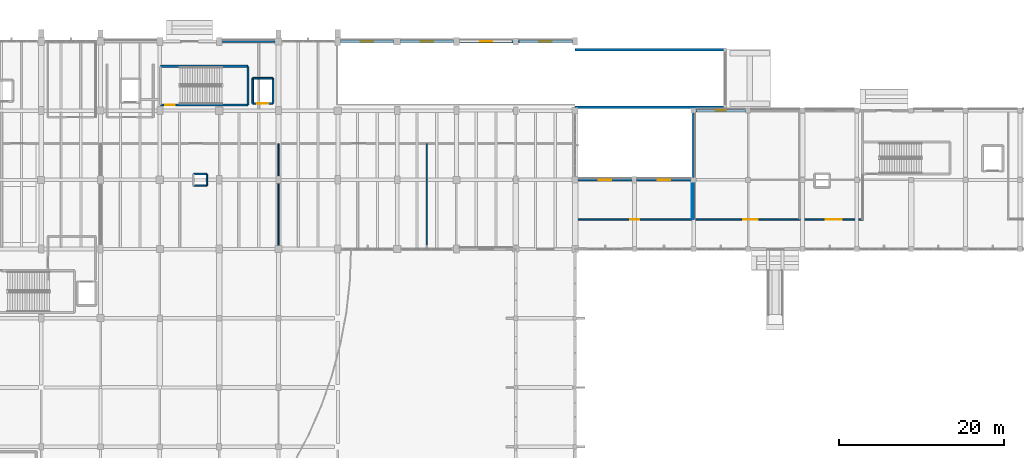
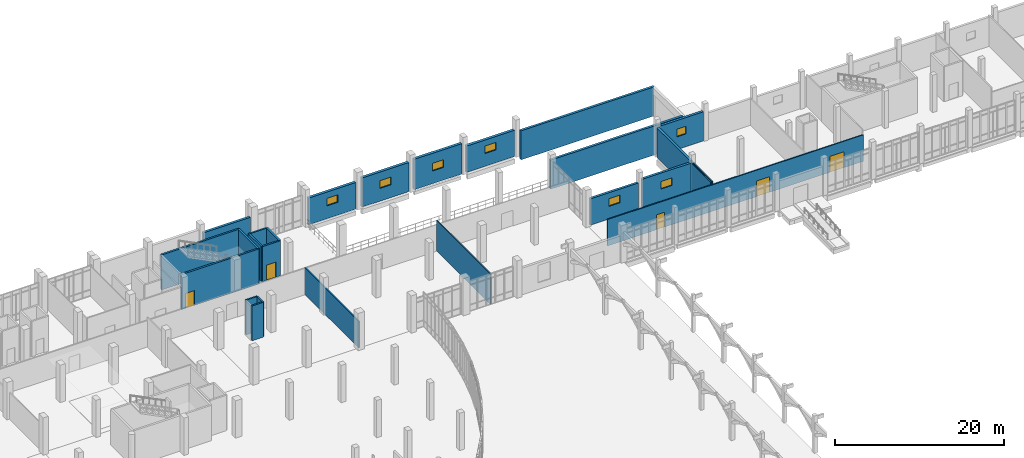
# One storey, part 95 of 110: 26 walls, 7 windows, 5 doors, 12 openings.
"""IFC4 building model written with IfcOpenShell, lengths in metres."""

from ifc_helpers import new_model, si_unit, direction, frame, frame_2d, origin, place, context, subcontext, project, spatial, rectangle, extrude, material, layer, layer_set, type_object, element, fill, save


model = new_model("IFC4")

# Units and contexts
model_context = context("Model", 3, precision=1e-05, world=origin(), true_north=direction((0.0, 1.0)))
body_context = subcontext(model_context, "Body", "Model", "MODEL_VIEW")
ifc_project = project(units=[si_unit("LENGTHUNIT", "METRE"), si_unit("AREAUNIT", "SQUARE_METRE"), si_unit("VOLUMEUNIT", "CUBIC_METRE"), si_unit("PLANEANGLEUNIT", "RADIAN"), si_unit("MASSUNIT", "GRAM", prefix="KILO")], contexts=[model_context])

# Site, building, storey
site_placement = place(None, origin())
site = spatial("IfcSite", under=ifc_project, at=site_placement, CompositionType="ELEMENT")
building_placement = place(site_placement, origin())
building = spatial("IfcBuilding", under=site, at=building_placement, Name="Kalluvel Institute of Natural Sciences", CompositionType="ELEMENT")
storey_placement = place(building_placement, origin())
storey = spatial("IfcBuildingStorey", under=building, at=storey_placement, Name="L00", CompositionType="ELEMENT", Elevation=0.0)

# Wall, opening, door
ifc_material_1 = material(Name="Concrete M40", Category="concrete")
ifc_layer_1 = layer(ifc_material_1, 0.25)
ifc_layer_set_1 = layer_set([ifc_layer_1], Name="Concrete M40")
wall_type_1 = type_object("IfcWallType", Name="WL-CORE-250", PredefinedType="SHEAR", material=ifc_layer_set_1)
wall_1_placement = place(storey_placement, frame((64.485107421875, 120.284912109375, 0.0), z_axis=(0.0, 0.0, 1.0), x_axis=(1.0, 0.0, 0.0)))
wall_1 = element("IfcWall", 1, at=wall_1_placement, inside=storey, type_object=wall_type_1, Name="ST2 L00 core wall S", PredefinedType="SHEAR", context=body_context, shape_type="SweptSolid", body=[
    extrude(rectangle(XDim=10.6298828125, YDim=0.25, at=frame_2d((5.31494140625, 0.0))), origin(), (0.0, 0.0, 1.0), 5.074951171875),
])
opening_1_placement = place(wall_1_placement, frame((0.550048828125, 0.0, 0.0)))
opening_1 = element("IfcOpeningElement", 2, at=opening_1_placement, cuts=wall_1, Name="Opening DS-013", PredefinedType="OPENING", context=body_context, shape_type="SweptSolid", body=[
    extrude(rectangle(XDim=1.199951171875, YDim=2.14990234375, at=frame_2d((0.60009765625, 1.074951171875))), frame((0.0, 0.135009765625, 0.0), z_axis=(0.0, -1.0, 0.0), x_axis=(1.0, 0.0, 0.0)), (0.0, 0.0, 1.0), 0.27001953125),
])
ifc_material_2 = material(Name="Galvanized Fire-Rated Steel", Category="steel")
door_type_1 = type_object("IfcDoorType", Name="DR-ST-1200", OperationType="NOTDEFINED", PredefinedType="DOOR", material=ifc_material_2)
door_1_placement = place(opening_1_placement, origin())
door_1 = element("IfcDoor", 3, at=door_1_placement, inside=storey, type_object=door_type_1, Name="ST2 L00 protected stair door DS-013", OperationType="SINGLE_SWING_RIGHT", OverallHeight=2.14990234375, OverallWidth=1.199951171875, PredefinedType="DOOR", context=body_context, shape_type="SweptSolid", body=[
    extrude(rectangle(XDim=1.199951171875, YDim=2.14990234375, at=frame_2d((0.60009765625, 1.074951171875))), frame((0.0, 0.02490234375, 0.0), z_axis=(0.0, -1.0, 0.0), x_axis=(1.0, 0.0, 0.0)), (0.0, 0.0, 1.0), 0.050048828125),
])
fill(opening_1, door_1)

# Walls
wall_2_placement = place(storey_placement, frame((75.114990234375, 120.284912109375, 0.0), z_axis=(0.0, 0.0, 1.0), x_axis=(0.0, 1.0, 0.0)))
element("IfcWall", 4, at=wall_2_placement, inside=storey, type_object=wall_type_1, Name="ST2 L00 core wall E", PredefinedType="SHEAR", context=body_context, shape_type="SweptSolid", body=[
    extrude(rectangle(XDim=4.7001953125, YDim=0.25, at=frame_2d((2.35009765625, 0.0))), origin(), (0.0, 0.0, 1.0), 5.074951171875),
])
wall_3_placement = place(storey_placement, frame((75.114990234375, 124.985107421875, 0.0), z_axis=(0.0, 0.0, 1.0), x_axis=(-1.0, 0.0, 0.0)))
element("IfcWall", 5, at=wall_3_placement, inside=storey, type_object=wall_type_1, Name="ST2 L00 core wall N", PredefinedType="SHEAR", context=body_context, shape_type="SweptSolid", body=[
    extrude(rectangle(XDim=10.6298828125, YDim=0.25, at=frame_2d((5.31494140625, 0.0))), origin(), (0.0, 0.0, 1.0), 5.074951171875),
])
ifc_material_3 = material(Name="Sadarahalli Grey Granite Ashlar Concrete M40", Category="masonry")
ifc_layer_2 = layer(ifc_material_3, 0.320068359375)
ifc_layer_set_2 = layer_set([ifc_layer_2], Name="Sadarahalli Grey Granite Ashlar Concrete M40")
wall_type_2 = type_object("IfcWallType", Name="WL-EXT-320", PredefinedType="SOLIDWALL", material=ifc_layer_set_2)
wall_4_placement = place(storey_placement, frame((71.905029296875, 128.0, 0.0), z_axis=(0.0, 0.0, 1.0), x_axis=(1.0, 0.0, 0.0)))
element("IfcWall", 6, at=wall_4_placement, inside=storey, type_object=wall_type_2, Name="L00 Sadarahalli granite exterior wall WL-EXT-L00-0007", PredefinedType="SOLIDWALL", context=body_context, shape_type="SweptSolid", body=[
    extrude(rectangle(XDim=6.489990234375, YDim=0.320068359375, at=frame_2d((3.2451171875, 0.0))), origin(), (0.0, 0.0, 1.0), 3.85498046875),
])
for number, where, z_axis, x_axis, name in (
    (7, (114.800048828125, 127.0, 0.0), (0.0, 0.0, 1.0), (1.0, 0.0, 0.0), "Vehicle ramp north enclosure wall"),
    (8, (114.800048828125, 120.0, 0.0), (0.0, 0.0, 1.0), (1.0, 0.0, 0.0), "Vehicle ramp south enclosure wall"),
):
    element("IfcWall", number, at=place(storey_placement, frame(where, z_axis=z_axis, x_axis=x_axis)), inside=storey, type_object=wall_type_2, Name=name, PredefinedType="SOLIDWALL", context=body_context, shape_type="SweptSolid", body=[
        extrude(rectangle(XDim=18.199951171875, YDim=0.320068359375, at=frame_2d((9.10009765625, 0.0))), origin(), (0.0, 0.0, 1.0), 4.199951171875),
    ])

# Wall, opening, window
wall_5_placement = place(storey_placement, frame((115.155029296875, 111.199951171875, 0.0), z_axis=(0.0, 0.0, 1.0), x_axis=(1.0, 0.0, 0.0)))
wall_5 = element("IfcWall", 9, at=wall_5_placement, inside=storey, type_object=wall_type_2, Name="L00 Sadarahalli granite exterior wall WL-EXT-L00-0237", PredefinedType="SOLIDWALL", context=body_context, shape_type="SweptSolid", body=[
    extrude(rectangle(XDim=6.590087890625, YDim=0.320068359375, at=frame_2d((3.294921875, 0.0))), origin(), (0.0, 0.0, 1.0), 3.81494140625),
])
opening_2_placement = place(wall_5_placement, frame((2.544921875, 0.0, 1.85009765625)))
opening_2 = element("IfcOpeningElement", 10, at=opening_2_placement, cuts=wall_5, Name="Opening W-12", PredefinedType="OPENING", context=body_context, shape_type="SweptSolid", body=[
    extrude(rectangle(XDim=1.5, YDim=1.10009765625, at=frame_2d((0.75, 0.550048828125))), frame((0.0, 0.169921875, 0.0), z_axis=(0.0, -1.0, 0.0), x_axis=(1.0, 0.0, 0.0)), (0.0, 0.0, 1.0), 0.340087890625),
])
ifc_material_4 = material(Name="Solar-Control Low-E Laminated Glass", Category="glass")
window_type_1 = type_object("IfcWindowType", Name="WN-HIGH-150x110", PartitioningType="SINGLE_PANEL", PredefinedType="WINDOW", material=ifc_material_4)
window_1_placement = place(opening_2_placement, origin())
window_1 = element("IfcWindow", 11, at=window_1_placement, inside=storey, type_object=window_type_1, Name="L00 Gothic lancet window 44", OverallHeight=1.10009765625, OverallWidth=1.5, PartitioningType="SINGLE_PANEL", PredefinedType="WINDOW", context=body_context, shape_type="SweptSolid", body=[
    extrude(rectangle(XDim=1.5, YDim=1.10009765625, at=frame_2d((0.75, 0.550048828125))), frame((0.0, 0.030029296875, 0.0), z_axis=(0.0, -1.0, 0.0), x_axis=(1.0, 0.0, 0.0)), (0.0, 0.0, 1.0), 0.06005859375),
])
fill(opening_2, window_1)

wall_6_placement = place(storey_placement, frame((122.2548828125, 111.199951171875, 0.0), z_axis=(0.0, 0.0, 1.0), x_axis=(1.0, 0.0, 0.0)))
wall_6 = element("IfcWall", 12, at=wall_6_placement, inside=storey, type_object=wall_type_2, Name="L00 Sadarahalli granite exterior wall WL-EXT-L00-0238", PredefinedType="SOLIDWALL", context=body_context, shape_type="SweptSolid", body=[
    extrude(rectangle(XDim=6.6650390625, YDim=0.320068359375, at=frame_2d((3.33251953125, 0.0))), origin(), (0.0, 0.0, 1.0), 4.1650390625),
])
opening_3_placement = place(wall_6_placement, frame((2.58251953125, 0.0, 1.85009765625)))
opening_3 = element("IfcOpeningElement", 13, at=opening_3_placement, cuts=wall_6, Name="Opening W-12", PredefinedType="OPENING", context=body_context, shape_type="SweptSolid", body=[
    extrude(rectangle(XDim=1.5, YDim=1.10009765625, at=frame_2d((0.75, 0.550048828125))), frame((0.0, 0.169921875, 0.0), z_axis=(0.0, -1.0, 0.0), x_axis=(1.0, 0.0, 0.0)), (0.0, 0.0, 1.0), 0.340087890625),
])
window_2_placement = place(opening_3_placement, origin())
window_2 = element("IfcWindow", 14, at=window_2_placement, inside=storey, type_object=window_type_1, Name="L00 Gothic lancet window 45", OverallHeight=1.10009765625, OverallWidth=1.5, PartitioningType="SINGLE_PANEL", PredefinedType="WINDOW", context=body_context, shape_type="SweptSolid", body=[
    extrude(rectangle(XDim=1.5, YDim=1.10009765625, at=frame_2d((0.75, 0.550048828125))), frame((0.0, 0.030029296875, 0.0), z_axis=(0.0, -1.0, 0.0), x_axis=(1.0, 0.0, 0.0)), (0.0, 0.0, 1.0), 0.06005859375),
])
fill(opening_3, window_2)

wall_7_placement = place(storey_placement, frame((129.47998046875, 119.60009765625, 0.0), z_axis=(0.0, 0.0, 1.0), x_axis=(1.0, 0.0, 0.0)))
wall_7 = element("IfcWall", 15, at=wall_7_placement, inside=storey, type_object=wall_type_2, Name="L00 Sadarahalli granite exterior wall WL-EXT-L00-0239", PredefinedType="SOLIDWALL", context=body_context, shape_type="SweptSolid", body=[
    extrude(rectangle(XDim=6.0400390625, YDim=0.320068359375, at=frame_2d((3.02001953125, 0.0))), origin(), (0.0, 0.0, 1.0), 4.215087890625),
])
opening_4_placement = place(wall_7_placement, frame((2.419921875, 0.0, 1.85009765625)))
opening_4 = element("IfcOpeningElement", 16, at=opening_4_placement, cuts=wall_7, Name="Opening W-11", PredefinedType="OPENING", context=body_context, shape_type="SweptSolid", body=[
    extrude(rectangle(XDim=1.199951171875, YDim=1.10009765625, at=frame_2d((0.60009765625, 0.550048828125))), frame((0.0, 0.169921875, 0.0), z_axis=(0.0, -1.0, 0.0), x_axis=(1.0, 0.0, 0.0)), (0.0, 0.0, 1.0), 0.340087890625),
])
window_type_2 = type_object("IfcWindowType", Name="WN-HIGH-120x110", PartitioningType="SINGLE_PANEL", PredefinedType="WINDOW", material=ifc_material_4)
window_3_placement = place(opening_4_placement, origin())
window_3 = element("IfcWindow", 17, at=window_3_placement, inside=storey, type_object=window_type_2, Name="L00 Gothic lancet window 46", OverallHeight=1.10009765625, OverallWidth=1.199951171875, PartitioningType="SINGLE_PANEL", PredefinedType="WINDOW", context=body_context, shape_type="SweptSolid", body=[
    extrude(rectangle(XDim=1.199951171875, YDim=1.10009765625, at=frame_2d((0.60009765625, 0.550048828125))), frame((0.0, 0.030029296875, 0.0), z_axis=(0.0, -1.0, 0.0), x_axis=(1.0, 0.0, 0.0)), (0.0, 0.0, 1.0), 0.06005859375),
])
fill(opening_4, window_3)

# Wall
wall_8_placement = place(storey_placement, frame((129.199951171875, 111.47998046875, 0.0), z_axis=(0.0, 0.0, 1.0), x_axis=(0.0, 1.0, 0.0)))
element("IfcWall", 18, at=wall_8_placement, inside=storey, type_object=wall_type_2, Name="L00 Sadarahalli granite exterior wall WL-EXT-L00-0250", PredefinedType="SOLIDWALL", context=body_context, shape_type="SweptSolid", body=[
    extrude(rectangle(XDim=7.840087890625, YDim=0.320068359375, at=frame_2d((3.919921875, 0.0))), origin(), (0.0, 0.0, 1.0), 4.215087890625),
])

# Wall, opening, window
ifc_layer_3 = layer(ifc_material_3, 0.360107421875)
ifc_layer_set_3 = layer_set([ifc_layer_3], Name="Sadarahalli Grey Granite Ashlar Concrete M40")
wall_type_3 = type_object("IfcWallType", Name="WL-EXT-360", PredefinedType="SOLIDWALL", material=ifc_layer_set_3)
wall_9_placement = place(storey_placement, frame((86.304931640625, 128.0, 0.0), z_axis=(0.0, 0.0, 1.0), x_axis=(1.0, 0.0, 0.0)))
wall_9 = element("IfcWall", 19, at=wall_9_placement, inside=storey, type_object=wall_type_3, Name="L00 Sadarahalli granite exterior wall WL-EXT-L00-0008", PredefinedType="SOLIDWALL", context=body_context, shape_type="SweptSolid", body=[
    extrude(rectangle(XDim=6.489990234375, YDim=0.360107421875, at=frame_2d((3.2451171875, 0.0))), origin(), (0.0, 0.0, 1.0), 3.85498046875),
])
opening_5_placement = place(wall_9_placement, frame((2.4951171875, 0.0, 1.85009765625)))
opening_5 = element("IfcOpeningElement", 20, at=opening_5_placement, cuts=wall_9, Name="Opening W-12", PredefinedType="OPENING", context=body_context, shape_type="SweptSolid", body=[
    extrude(rectangle(XDim=1.5, YDim=1.10009765625, at=frame_2d((0.75, 0.550048828125))), frame((0.0, 0.18994140625, 0.0), z_axis=(0.0, -1.0, 0.0), x_axis=(1.0, 0.0, 0.0)), (0.0, 0.0, 1.0), 0.380126953125),
])
window_4_placement = place(opening_5_placement, origin())
window_4 = element("IfcWindow", 21, at=window_4_placement, inside=storey, type_object=window_type_1, Name="L00 Gothic lancet window 3", OverallHeight=1.10009765625, OverallWidth=1.5, PartitioningType="SINGLE_PANEL", PredefinedType="WINDOW", context=body_context, shape_type="SweptSolid", body=[
    extrude(rectangle(XDim=1.5, YDim=1.10009765625, at=frame_2d((0.75, 0.550048828125))), frame((0.0, 0.030029296875, 0.0), z_axis=(0.0, -1.0, 0.0), x_axis=(1.0, 0.0, 0.0)), (0.0, 0.0, 1.0), 0.06005859375),
])
fill(opening_5, window_4)

wall_10_placement = place(storey_placement, frame((93.60498046875, 128.0, 0.0), z_axis=(0.0, 0.0, 1.0), x_axis=(1.0, 0.0, 0.0)))
wall_10 = element("IfcWall", 22, at=wall_10_placement, inside=storey, type_object=wall_type_3, Name="L00 Sadarahalli granite exterior wall WL-EXT-L00-0009", PredefinedType="SOLIDWALL", context=body_context, shape_type="SweptSolid", body=[
    extrude(rectangle(XDim=6.43994140625, YDim=0.360107421875, at=frame_2d((3.219970703125, 0.0))), origin(), (0.0, 0.0, 1.0), 4.205078125),
])
opening_6_placement = place(wall_10_placement, frame((2.469970703125, 0.0, 1.85009765625)))
opening_6 = element("IfcOpeningElement", 23, at=opening_6_placement, cuts=wall_10, Name="Opening W-12", PredefinedType="OPENING", context=body_context, shape_type="SweptSolid", body=[
    extrude(rectangle(XDim=1.5, YDim=1.10009765625, at=frame_2d((0.75, 0.550048828125))), frame((0.0, 0.18994140625, 0.0), z_axis=(0.0, -1.0, 0.0), x_axis=(1.0, 0.0, 0.0)), (0.0, 0.0, 1.0), 0.380126953125),
])
window_5_placement = place(opening_6_placement, origin())
window_5 = element("IfcWindow", 24, at=window_5_placement, inside=storey, type_object=window_type_1, Name="L00 Gothic lancet window 4", OverallHeight=1.10009765625, OverallWidth=1.5, PartitioningType="SINGLE_PANEL", PredefinedType="WINDOW", context=body_context, shape_type="SweptSolid", body=[
    extrude(rectangle(XDim=1.5, YDim=1.10009765625, at=frame_2d((0.75, 0.550048828125))), frame((0.0, 0.030029296875, 0.0), z_axis=(0.0, -1.0, 0.0), x_axis=(1.0, 0.0, 0.0)), (0.0, 0.0, 1.0), 0.06005859375),
])
fill(opening_6, window_5)

wall_11_placement = place(storey_placement, frame((100.7548828125, 128.0, 0.0), z_axis=(0.0, 0.0, 1.0), x_axis=(1.0, 0.0, 0.0)))
wall_11 = element("IfcWall", 25, at=wall_11_placement, inside=storey, type_object=wall_type_3, Name="L00 Sadarahalli granite exterior wall WL-EXT-L00-0010", PredefinedType="SOLIDWALL", context=body_context, shape_type="SweptSolid", body=[
    extrude(rectangle(XDim=6.5400390625, YDim=0.360107421875, at=frame_2d((3.27001953125, 0.0))), origin(), (0.0, 0.0, 1.0), 4.405029296875),
])
opening_7_placement = place(wall_11_placement, frame((2.52001953125, 0.0, 1.85009765625)))
opening_7 = element("IfcOpeningElement", 26, at=opening_7_placement, cuts=wall_11, Name="Opening W-12", PredefinedType="OPENING", context=body_context, shape_type="SweptSolid", body=[
    extrude(rectangle(XDim=1.5, YDim=1.10009765625, at=frame_2d((0.75, 0.550048828125))), frame((0.0, 0.18994140625, 0.0), z_axis=(0.0, -1.0, 0.0), x_axis=(1.0, 0.0, 0.0)), (0.0, 0.0, 1.0), 0.380126953125),
])
window_6_placement = place(opening_7_placement, origin())
window_6 = element("IfcWindow", 27, at=window_6_placement, inside=storey, type_object=window_type_1, Name="L00 Gothic lancet window 5", OverallHeight=1.10009765625, OverallWidth=1.5, PartitioningType="SINGLE_PANEL", PredefinedType="WINDOW", context=body_context, shape_type="SweptSolid", body=[
    extrude(rectangle(XDim=1.5, YDim=1.10009765625, at=frame_2d((0.75, 0.550048828125))), frame((0.0, 0.030029296875, 0.0), z_axis=(0.0, -1.0, 0.0), x_axis=(1.0, 0.0, 0.0)), (0.0, 0.0, 1.0), 0.06005859375),
])
fill(opening_7, window_6)

wall_12_placement = place(storey_placement, frame((107.905029296875, 128.0, 0.0), z_axis=(0.0, 0.0, 1.0), x_axis=(1.0, 0.0, 0.0)))
wall_12 = element("IfcWall", 28, at=wall_12_placement, inside=storey, type_object=wall_type_3, Name="L00 Sadarahalli granite exterior wall WL-EXT-L00-0011", PredefinedType="SOLIDWALL", context=body_context, shape_type="SweptSolid", body=[
    extrude(rectangle(XDim=6.614990234375, YDim=0.360107421875, at=frame_2d((3.3076171875, 0.0))), origin(), (0.0, 0.0, 1.0), 3.81494140625),
])
opening_8_placement = place(wall_12_placement, frame((2.5576171875, 0.0, 1.85009765625)))
opening_8 = element("IfcOpeningElement", 29, at=opening_8_placement, cuts=wall_12, Name="Opening W-12", PredefinedType="OPENING", context=body_context, shape_type="SweptSolid", body=[
    extrude(rectangle(XDim=1.5, YDim=1.10009765625, at=frame_2d((0.75, 0.550048828125))), frame((0.0, 0.18994140625, 0.0), z_axis=(0.0, -1.0, 0.0), x_axis=(1.0, 0.0, 0.0)), (0.0, 0.0, 1.0), 0.380126953125),
])
window_7_placement = place(opening_8_placement, origin())
window_7 = element("IfcWindow", 30, at=window_7_placement, inside=storey, type_object=window_type_1, Name="L00 Gothic lancet window 6", OverallHeight=1.10009765625, OverallWidth=1.5, PartitioningType="SINGLE_PANEL", PredefinedType="WINDOW", context=body_context, shape_type="SweptSolid", body=[
    extrude(rectangle(XDim=1.5, YDim=1.10009765625, at=frame_2d((0.75, 0.550048828125))), frame((0.0, 0.030029296875, 0.0), z_axis=(0.0, -1.0, 0.0), x_axis=(1.0, 0.0, 0.0)), (0.0, 0.0, 1.0), 0.06005859375),
])
fill(opening_8, window_7)

# Walls
ifc_material_5 = material(Name="Acoustic Gypsum Twin-Stud Partition", Category="gypsum")
ifc_layer_4 = layer(ifc_material_5, 0.1201171875)
ifc_layer_set_4 = layer_set([ifc_layer_4], Name="Acoustic Gypsum Twin-Stud Partition")
wall_type_4 = type_object("IfcWallType", Name="WL-PART-120", PredefinedType="PARTITIONING", material=ifc_layer_set_4)
wall_13_placement = place(storey_placement, frame((129.0, 106.39990234375, 0.0), z_axis=(0.0, 0.0, 1.0), x_axis=(0.0, 1.0, 0.0)))
element("IfcWall", 31, at=wall_13_placement, inside=storey, type_object=wall_type_4, Name="L00 interior partition wall WL-INT-L00-0068", PredefinedType="PARTITIONING", context=body_context, shape_type="SweptSolid", body=[
    extrude(rectangle(XDim=4.800048828125, YDim=0.1201171875, at=frame_2d((2.39990234375, 0.0))), origin(), (0.0, 0.0, 1.0), 4.219970703125),
])
ifc_layer_5 = layer(ifc_material_5, 0.139892578125)
ifc_layer_set_5 = layer_set([ifc_layer_5], Name="Acoustic Gypsum Twin-Stud Partition")
wall_type_5 = type_object("IfcWallType", Name="WL-PART-140", PredefinedType="PARTITIONING", material=ifc_layer_set_5)
wall_14_placement = place(storey_placement, frame((96.800048828125, 102.800048828125, 0.0), z_axis=(0.0, 0.0, 1.0), x_axis=(0.0, 1.0, 0.0)))
element("IfcWall", 32, at=wall_14_placement, inside=storey, type_object=wall_type_5, Name="L00 interior partition wall WL-INT-L00-0046", PredefinedType="PARTITIONING", context=body_context, shape_type="SweptSolid", body=[
    extrude(rectangle(XDim=12.800048828125, YDim=0.139892578125, at=frame_2d((6.39990234375, 0.0))), origin(), (0.0, 0.0, 1.0), 4.409912109375),
])
ifc_material_6 = material(Name="Autoclaved Aerated Concrete Masonry Block", Category="masonry")
ifc_layer_6 = layer(ifc_material_6, 0.159912109375)
ifc_layer_set_6 = layer_set([ifc_layer_6], Name="Autoclaved Aerated Concrete Masonry Block")
wall_type_6 = type_object("IfcWallType", Name="WL-PART-160", PredefinedType="PARTITIONING", material=ifc_layer_set_6)
wall_15_placement = place(storey_placement, frame((78.800048828125, 102.800048828125, 0.0), z_axis=(0.0, 0.0, 1.0), x_axis=(0.0, 1.0, 0.0)))
element("IfcWall", 33, at=wall_15_placement, inside=storey, type_object=wall_type_6, Name="L00 interior partition wall WL-INT-L00-0045", PredefinedType="PARTITIONING", context=body_context, shape_type="SweptSolid", body=[
    extrude(rectangle(XDim=12.800048828125, YDim=0.159912109375, at=frame_2d((6.39990234375, 0.0))), origin(), (0.0, 0.0, 1.0), 3.860107421875),
])

# Wall, openings, doors
wall_16_placement = place(storey_placement, frame((114.800048828125, 106.39990234375, 0.0), z_axis=(0.0, 0.0, 1.0), x_axis=(1.0, 0.0, 0.0)))
wall_16 = element("IfcWall", 34, at=wall_16_placement, inside=storey, type_object=wall_type_6, Name="L00 interior partition wall WL-INT-L00-0066", PredefinedType="PARTITIONING", context=body_context, shape_type="SweptSolid", body=[
    extrude(rectangle(XDim=35.0, YDim=0.159912109375, at=frame_2d((17.5, 0.0))), origin(), (0.0, 0.0, 1.0), 3.820068359375),
])
opening_9_placement = place(wall_16_placement, frame((6.699951171875, 0.0, 0.0)))
opening_9 = element("IfcOpeningElement", 35, at=opening_9_placement, cuts=wall_16, Name="Opening D-084", PredefinedType="OPENING", context=body_context, shape_type="SweptSolid", body=[
    extrude(rectangle(XDim=1.10009765625, YDim=2.14990234375, at=frame_2d((0.550048828125, 1.074951171875))), frame((0.0, 0.08984375, 0.0), z_axis=(0.0, -1.0, 0.0), x_axis=(1.0, 0.0, 0.0)), (0.0, 0.0, 1.0), 0.179931640625),
])
opening_10_placement = place(wall_16_placement, frame((20.39990234375, 0.0, 0.0)))
opening_10 = element("IfcOpeningElement", 36, at=opening_10_placement, cuts=wall_16, Name="Opening D-085", PredefinedType="OPENING", context=body_context, shape_type="SweptSolid", body=[
    extrude(rectangle(XDim=1.75, YDim=2.25, at=frame_2d((0.875, 1.125))), frame((0.0, 0.08984375, 0.0), z_axis=(0.0, -1.0, 0.0), x_axis=(1.0, 0.0, 0.0)), (0.0, 0.0, 1.0), 0.179931640625),
])
opening_11_placement = place(wall_16_placement, frame((30.449951171875, 0.0, 0.0)))
opening_11 = element("IfcOpeningElement", 37, at=opening_11_placement, cuts=wall_16, Name="Opening D-086", PredefinedType="OPENING", context=body_context, shape_type="SweptSolid", body=[
    extrude(rectangle(XDim=1.89990234375, YDim=2.300048828125, at=frame_2d((0.949951171875, 1.14990234375))), frame((0.0, 0.08984375, 0.0), z_axis=(0.0, -1.0, 0.0), x_axis=(1.0, 0.0, 0.0)), (0.0, 0.0, 1.0), 0.179931640625),
])
ifc_material_7 = material(Name="Aluminium AW-6063 T6", Category="aluminium")
door_type_2 = type_object("IfcDoorType", Name="DR-DBL-1750", OperationType="NOTDEFINED", PredefinedType="DOOR", material=ifc_material_7)
door_2_placement = place(opening_10_placement, origin())
door_2 = element("IfcDoor", 38, at=door_2_placement, inside=storey, type_object=door_type_2, Name="ISO Class 5 Photolithography Cleanroom door D-085", OperationType="DOUBLE_DOOR_SINGLE_SWING", OverallHeight=2.25, OverallWidth=1.75, PredefinedType="DOOR", context=body_context, shape_type="SweptSolid", body=[
    extrude(rectangle(XDim=1.75, YDim=2.25, at=frame_2d((0.875, 1.125))), frame((0.0, 0.02490234375, 0.0), z_axis=(0.0, -1.0, 0.0), x_axis=(1.0, 0.0, 0.0)), (0.0, 0.0, 1.0), 0.050048828125),
])
fill(opening_10, door_2)
door_type_3 = type_object("IfcDoorType", Name="DR-DBL-1900", OperationType="NOTDEFINED", PredefinedType="DOOR", material=ifc_material_7)
door_3_placement = place(opening_11_placement, origin())
door_3 = element("IfcDoor", 39, at=door_3_placement, inside=storey, type_object=door_type_3, Name="Aberration-Corrected Electron Microscopy Suite door D-086", OperationType="DOUBLE_DOOR_SINGLE_SWING", OverallHeight=2.300048828125, OverallWidth=1.89990234375, PredefinedType="DOOR", context=body_context, shape_type="SweptSolid", body=[
    extrude(rectangle(XDim=1.89990234375, YDim=2.300048828125, at=frame_2d((0.949951171875, 1.14990234375))), frame((0.0, 0.02490234375, 0.0), z_axis=(0.0, -1.0, 0.0), x_axis=(1.0, 0.0, 0.0)), (0.0, 0.0, 1.0), 0.050048828125),
])
fill(opening_11, door_3)
ifc_material_8 = material(Name="Engineered Hardwood Acoustic Leaf", Category="wood")
door_type_4 = type_object("IfcDoorType", Name="DR-INT-1100", OperationType="NOTDEFINED", PredefinedType="DOOR", material=ifc_material_8)
door_4_placement = place(opening_9_placement, origin())
door_4 = element("IfcDoor", 40, at=door_4_placement, inside=storey, type_object=door_type_4, Name="Cleanroom Gowning and Air-Shower Vestibule door D-084", OperationType="SINGLE_SWING_LEFT", OverallHeight=2.14990234375, OverallWidth=1.10009765625, PredefinedType="DOOR", context=body_context, shape_type="SweptSolid", body=[
    extrude(rectangle(XDim=1.10009765625, YDim=2.14990234375, at=frame_2d((0.550048828125, 1.074951171875))), frame((0.0, 0.02490234375, 0.0), z_axis=(0.0, -1.0, 0.0), x_axis=(1.0, 0.0, 0.0)), (0.0, 0.0, 1.0), 0.050048828125),
])
fill(opening_9, door_4)

# Walls
wall_17_placement = place(storey_placement, frame((129.199951171875, 106.39990234375, 0.0), z_axis=(0.0, 0.0, 1.0), x_axis=(0.0, 1.0, 0.0)))
element("IfcWall", 41, at=wall_17_placement, inside=storey, type_object=wall_type_6, Name="L00 interior partition wall WL-INT-L00-0069", PredefinedType="PARTITIONING", context=body_context, shape_type="SweptSolid", body=[
    extrude(rectangle(XDim=4.800048828125, YDim=0.159912109375, at=frame_2d((2.39990234375, 0.0))), origin(), (0.0, 0.0, 1.0), 4.219970703125),
])
ifc_layer_7 = layer(ifc_material_1, 0.199951171875)
ifc_layer_set_7 = layer_set([ifc_layer_7], Name="Concrete M40")
wall_type_7 = type_object("IfcWallType", Name="WL-RISER-200", PredefinedType="SHEAR", material=ifc_layer_set_7)
wall_18_placement = place(storey_placement, frame((68.5, 110.5, 0.0), z_axis=(0.0, 0.0, 1.0), x_axis=(1.0, 0.0, 0.0)))
element("IfcWall", 42, at=wall_18_placement, inside=storey, type_object=wall_type_7, Name="RS-WET-E L00 service riser enclosure S", PredefinedType="SHEAR", context=body_context, shape_type="SweptSolid", body=[
    extrude(rectangle(XDim=1.60009765625, YDim=0.199951171875, at=frame_2d((0.800048828125, 0.0))), origin(), (0.0, 0.0, 1.0), 5.0400390625),
])
wall_19_placement = place(storey_placement, frame((70.10009765625, 110.5, 0.0), z_axis=(0.0, 0.0, 1.0), x_axis=(0.0, 1.0, 0.0)))
element("IfcWall", 43, at=wall_19_placement, inside=storey, type_object=wall_type_7, Name="RS-WET-E L00 service riser enclosure E", PredefinedType="SHEAR", context=body_context, shape_type="SweptSolid", body=[
    extrude(rectangle(XDim=1.39990234375, YDim=0.199951171875, at=frame_2d((0.699951171875, 0.0))), origin(), (0.0, 0.0, 1.0), 5.0400390625),
])
wall_20_placement = place(storey_placement, frame((70.10009765625, 111.89990234375, 0.0), z_axis=(0.0, 0.0, 1.0), x_axis=(-1.0, 0.0, 0.0)))
element("IfcWall", 44, at=wall_20_placement, inside=storey, type_object=wall_type_7, Name="RS-WET-E L00 service riser enclosure N", PredefinedType="SHEAR", context=body_context, shape_type="SweptSolid", body=[
    extrude(rectangle(XDim=1.60009765625, YDim=0.199951171875, at=frame_2d((0.800048828125, 0.0))), origin(), (0.0, 0.0, 1.0), 5.0400390625),
])

# Wall, opening, door
ifc_layer_8 = layer(ifc_material_1, 0.219970703125)
ifc_layer_set_8 = layer_set([ifc_layer_8], Name="Concrete M40")
wall_type_8 = type_object("IfcWallType", Name="WL-SHAFT-220", PredefinedType="SHEAR", material=ifc_layer_set_8)
wall_21_placement = place(storey_placement, frame((75.669921875, 120.469970703125, 0.0), z_axis=(0.0, 0.0, 1.0), x_axis=(1.0, 0.0, 0.0)))
wall_21 = element("IfcWall", 45, at=wall_21_placement, inside=storey, type_object=wall_type_8, Name="LF4 L00 lift shaft wall", PredefinedType="SHEAR", context=body_context, shape_type="SweptSolid", body=[
    extrude(rectangle(XDim=2.4599609375, YDim=0.219970703125, at=frame_2d((1.22998046875, 0.0))), origin(), (0.0, 0.0, 1.0), 5.074951171875),
])
opening_12_placement = place(wall_21_placement, frame((0.580078125, 0.0, 0.0)))
opening_12 = element("IfcOpeningElement", 46, at=opening_12_placement, cuts=wall_21, Name="Opening LD-032", PredefinedType="OPENING", context=body_context, shape_type="SweptSolid", body=[
    extrude(rectangle(XDim=1.300048828125, YDim=2.199951171875, at=frame_2d((0.64990234375, 1.10009765625))), frame((0.0, 0.119873046875, 0.0), z_axis=(0.0, -1.0, 0.0), x_axis=(1.0, 0.0, 0.0)), (0.0, 0.0, 1.0), 0.239990234375),
])
door_type_5 = type_object("IfcDoorType", Name="DR-LD-1300", OperationType="NOTDEFINED", PredefinedType="DOOR", material=ifc_material_2)
door_5_placement = place(opening_12_placement, origin())
door_5 = element("IfcDoor", 47, at=door_5_placement, inside=storey, type_object=door_type_5, Name="LF4 L00 sliding lift landing door LD-032", OperationType="DOUBLE_DOOR_SLIDING", OverallHeight=2.199951171875, OverallWidth=1.300048828125, PredefinedType="DOOR", context=body_context, shape_type="SweptSolid", body=[
    extrude(rectangle(XDim=1.300048828125, YDim=2.199951171875, at=frame_2d((0.64990234375, 1.10009765625))), frame((0.0, 0.02490234375, 0.0), z_axis=(0.0, -1.0, 0.0), x_axis=(1.0, 0.0, 0.0)), (0.0, 0.0, 1.0), 0.050048828125),
])
fill(opening_12, door_5)

# Walls
wall_22_placement = place(storey_placement, frame((78.1298828125, 120.469970703125, 0.0), z_axis=(0.0, 0.0, 1.0), x_axis=(0.0, 1.0, 0.0)))
element("IfcWall", 48, at=wall_22_placement, inside=storey, type_object=wall_type_8, Name="LF4 L00 lift shaft wall", PredefinedType="SHEAR", context=body_context, shape_type="SweptSolid", body=[
    extrude(rectangle(XDim=3.06005859375, YDim=0.219970703125, at=frame_2d((1.530029296875, 0.0))), origin(), (0.0, 0.0, 1.0), 5.074951171875),
])
wall_23_placement = place(storey_placement, frame((78.1298828125, 123.530029296875, 0.0), z_axis=(0.0, 0.0, 1.0), x_axis=(-1.0, 0.0, 0.0)))
element("IfcWall", 49, at=wall_23_placement, inside=storey, type_object=wall_type_8, Name="LF4 L00 lift shaft wall", PredefinedType="SHEAR", context=body_context, shape_type="SweptSolid", body=[
    extrude(rectangle(XDim=2.4599609375, YDim=0.219970703125, at=frame_2d((1.22998046875, 0.0))), origin(), (0.0, 0.0, 1.0), 5.074951171875),
])
wall_24_placement = place(storey_placement, frame((75.669921875, 123.530029296875, 0.0), z_axis=(0.0, 0.0, 1.0), x_axis=(0.0, -1.0, 0.0)))
element("IfcWall", 50, at=wall_24_placement, inside=storey, type_object=wall_type_8, Name="LF4 L00 lift shaft wall", PredefinedType="SHEAR", context=body_context, shape_type="SweptSolid", body=[
    extrude(rectangle(XDim=3.06005859375, YDim=0.219970703125, at=frame_2d((1.530029296875, 0.0))), origin(), (0.0, 0.0, 1.0), 5.074951171875),
])

save(model, "model.ifc")
